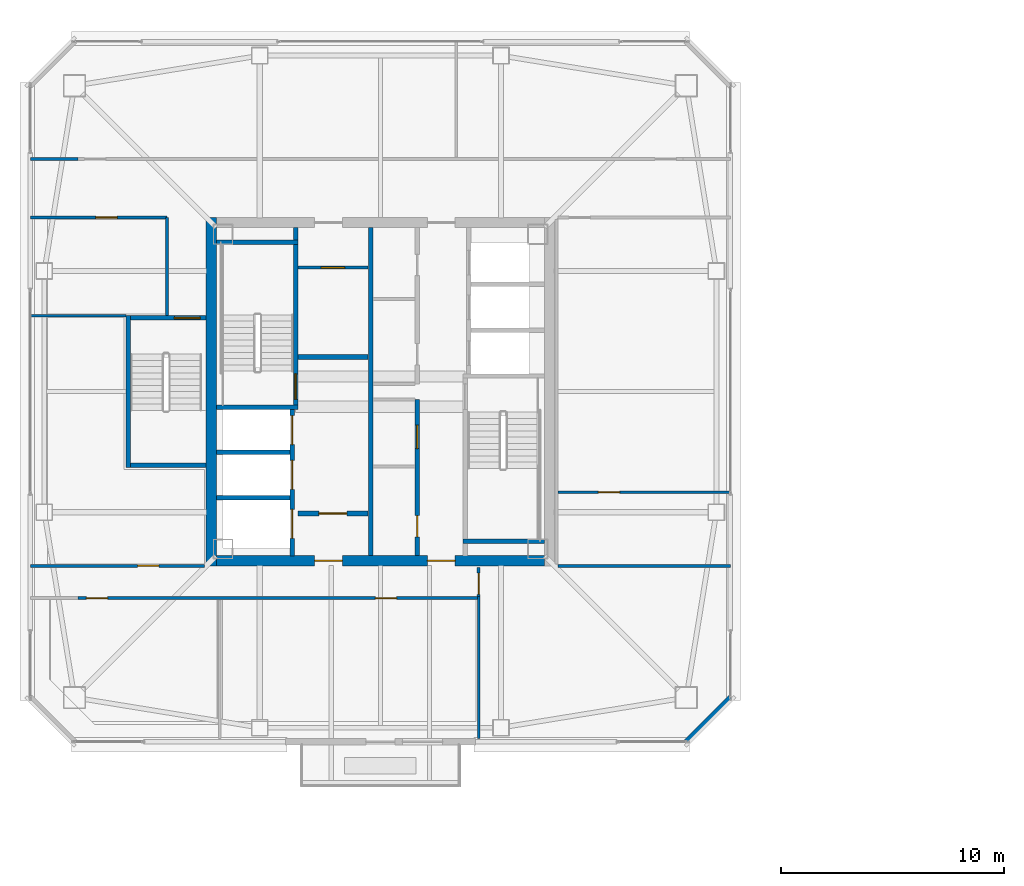
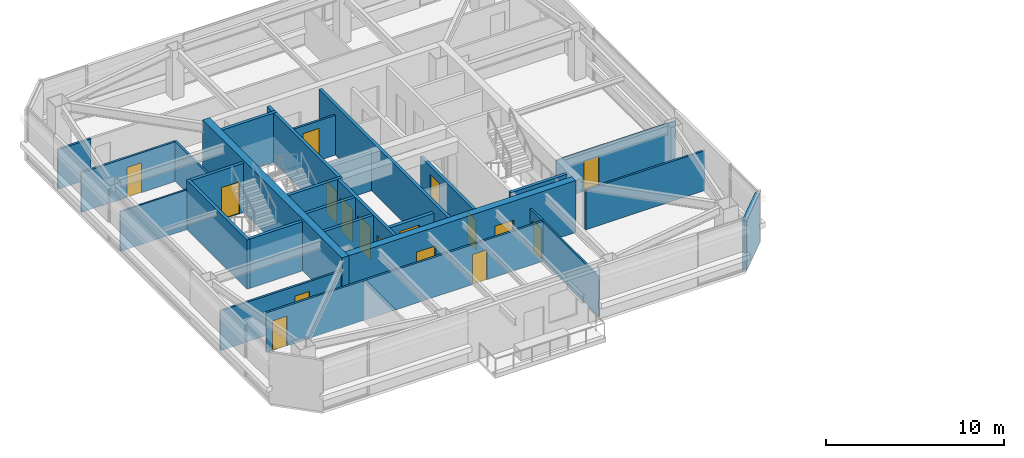
# One storey, part 26 of 36: 28 walls, 17 doors, 17 openings.
"""IFC4 building model written with IfcOpenShell, lengths in metres."""

from ifc_helpers import new_model, si_unit, direction, frame, frame_2d, origin, place, context, subcontext, project, spatial, rectangle, extrude, material, layer, layer_set, type_object, element, fill, save


model = new_model("IFC4")

# Units and contexts
model_context = context("Model", 3, precision=1e-05, world=origin(), true_north=direction((0.0, 1.0)))
body_context = subcontext(model_context, "Body", "Model", "MODEL_VIEW")
ifc_project = project(units=[si_unit("LENGTHUNIT", "METRE"), si_unit("AREAUNIT", "SQUARE_METRE"), si_unit("VOLUMEUNIT", "CUBIC_METRE"), si_unit("PLANEANGLEUNIT", "RADIAN"), si_unit("MASSUNIT", "GRAM", prefix="KILO")], contexts=[model_context])

# Site, building, storey
site_placement = place(None, origin())
site = spatial("IfcSite", under=ifc_project, at=site_placement, CompositionType="ELEMENT")
building_placement = place(site_placement, origin())
building = spatial("IfcBuilding", under=site, at=building_placement, Name="Tashvorn Skyway Center", CompositionType="ELEMENT")
storey_placement = place(building_placement, frame((0.0, 0.0, 236.14990234375)))
storey = spatial("IfcBuildingStorey", under=building, at=storey_placement, Name="L64", CompositionType="ELEMENT", Elevation=236.14990234375)

# Wall
ifc_material_1 = material(Name="Concrete C50/60", Category="concrete")
ifc_layer_1 = layer(ifc_material_1, 0.449951171875)
ifc_layer_set_1 = layer_set([ifc_layer_1], Name="Concrete C50/60")
wall_type_1 = type_object("IfcWallType", Name="WALL-CORE-450", PredefinedType="SHEAR", material=ifc_layer_set_1)
wall_1_placement = place(storey_placement, frame((34.425048828125, 24.199951171875, 0.0), z_axis=(0.0, 0.0, 1.0), x_axis=(0.0, 1.0, 0.0)))
element("IfcWall", 1, at=wall_1_placement, inside=storey, type_object=wall_type_1, Name="Tower 1 L64 West Core Shear Wall", PredefinedType="SHEAR", context=body_context, shape_type="SweptSolid", body=[
    extrude(rectangle(XDim=15.60009765625, YDim=0.449951171875, at=frame_2d((7.800048828125, 0.0))), origin(), (0.0, 0.0, 1.0), 3.550048828125),
])

# Wall, openings, doors
wall_2_placement = place(storey_placement, frame((49.35009765625, 24.425048828125, 0.0), z_axis=(0.0, 0.0, 1.0), x_axis=(-1.0, 0.0, 0.0)))
wall_2 = element("IfcWall", 2, at=wall_2_placement, inside=storey, type_object=wall_type_1, Name="Tower 1 L64 South Core Shear Wall", PredefinedType="SHEAR", context=body_context, shape_type="SweptSolid", body=[
    extrude(rectangle(XDim=14.7001953125, YDim=0.449951171875, at=frame_2d((7.35009765625, 0.0))), origin(), (0.0, 0.0, 1.0), 3.550048828125),
])
opening_1_placement = place(wall_2_placement, frame((9.050048828125, 0.0, 0.0)))
opening_1 = element("IfcOpeningElement", 3, at=opening_1_placement, cuts=wall_2, Name="Opening D-FFL-1250", PredefinedType="OPENING", context=body_context, shape_type="SweptSolid", body=[
    extrude(rectangle(XDim=1.25, YDim=2.25, at=frame_2d((0.625, 1.125))), frame((0.0, 0.23486328125, 0.0), z_axis=(0.0, -1.0, 0.0), x_axis=(1.0, 0.0, 0.0)), (0.0, 0.0, 1.0), 0.469970703125),
])
opening_2_placement = place(wall_2_placement, frame((4.0, 0.0, 0.0)))
opening_2 = element("IfcOpeningElement", 4, at=opening_2_placement, cuts=wall_2, Name="Opening D-FFL-1250", PredefinedType="OPENING", context=body_context, shape_type="SweptSolid", body=[
    extrude(rectangle(XDim=1.25, YDim=2.25, at=frame_2d((0.625, 1.125))), frame((0.0, 0.23486328125, 0.0), z_axis=(0.0, -1.0, 0.0), x_axis=(1.0, 0.0, 0.0)), (0.0, 0.0, 1.0), 0.469970703125),
])
ifc_material_2 = material(Name="Hollow galvanized steel fire door assembly", Category="steel")
door_type_1 = type_object("IfcDoorType", Name="DOOR-FFL-1250", OperationType="NOTDEFINED", PredefinedType="DOOR", material=ifc_material_2)
door_1_placement = place(opening_1_placement, origin())
door_1 = element("IfcDoor", 5, at=door_1_placement, inside=storey, type_object=door_type_1, Name="Tower 1 L64 Core South Firefighting Exit Door", OperationType="SINGLE_SWING_LEFT", OverallHeight=2.25, OverallWidth=1.25, PredefinedType="DOOR", context=body_context, shape_type="SweptSolid", body=[
    extrude(rectangle(XDim=1.25, YDim=2.25, at=frame_2d((0.625, 1.125))), frame((0.0, 0.02490234375, 0.0), z_axis=(0.0, -1.0, 0.0), x_axis=(1.0, 0.0, 0.0)), (0.0, 0.0, 1.0), 0.050048828125),
])
fill(opening_1, door_1)
door_2_placement = place(opening_2_placement, origin())
door_2 = element("IfcDoor", 6, at=door_2_placement, inside=storey, type_object=door_type_1, Name="Tower 1 L64 Core South Lift Lobby Door", OperationType="SINGLE_SWING_RIGHT", OverallHeight=2.25, OverallWidth=1.25, PredefinedType="DOOR", context=body_context, shape_type="SweptSolid", body=[
    extrude(rectangle(XDim=1.25, YDim=2.25, at=frame_2d((0.625, 1.125))), frame((0.0, 0.02490234375, 0.0), z_axis=(0.0, -1.0, 0.0), x_axis=(1.0, 0.0, 0.0)), (0.0, 0.0, 1.0), 0.050048828125),
])
fill(opening_2, door_2)

# Walls
ifc_material_3 = material(Name="Precast concrete C40/50", Category="concrete")
ifc_layer_2 = layer(ifc_material_3, 0.280029296875)
ifc_layer_set_2 = layer_set([ifc_layer_2], Name="Precast concrete C40/50")
wall_type_2 = type_object("IfcWallType", Name="WALL-EXT-280", PredefinedType="SOLIDWALL", material=ifc_layer_set_2)
wall_3_placement = place(storey_placement, frame((57.699951171875, 18.300048828125, 0.0), z_axis=(0.0, 0.0, 1.0), x_axis=(-0.707106781187, -0.707106781187, 0.0)))
element("IfcWall", 7, at=wall_3_placement, inside=storey, type_object=wall_type_2, Name="Tower 1 L64 SE Precast Chamfer Wall", PredefinedType="SOLIDWALL", context=body_context, shape_type="SweptSolid", body=[
    extrude(rectangle(XDim=2.828369140625, YDim=0.280029296875, at=frame_2d((1.4140625, 0.0))), origin(), (0.0, 0.0, 1.0), 3.3701171875),
])
ifc_material_4 = material(Name="Concrete C40/50", Category="concrete")
ifc_layer_3 = layer(ifc_material_4, 0.219970703125)
ifc_layer_set_3 = layer_set([ifc_layer_3], Name="Concrete C40/50")
wall_type_3 = type_object("IfcWallType", Name="WALL-FFL-220", PredefinedType="SOLIDWALL", material=ifc_layer_set_3)
wall_4_placement = place(storey_placement, frame((38.300048828125, 33.56005859375, 0.0), z_axis=(0.0, 0.0, 1.0), x_axis=(1.0, 0.0, 0.0)))
element("IfcWall", 8, at=wall_4_placement, inside=storey, type_object=wall_type_3, Name="Tower 1 L64 Firefighting Lobby North Wall", PredefinedType="SOLIDWALL", context=body_context, shape_type="SweptSolid", body=[
    extrude(rectangle(XDim=3.14990234375, YDim=0.219970703125, at=frame_2d((1.574951171875, 0.0))), origin(), (0.0, 0.0, 1.0), 2.72314453125),
])

# Wall, opening, door
wall_5_placement = place(storey_placement, frame((38.300048828125, 26.5400390625, 0.0), z_axis=(0.0, 0.0, 1.0), x_axis=(1.0, 0.0, 0.0)))
wall_5 = element("IfcWall", 9, at=wall_5_placement, inside=storey, type_object=wall_type_3, Name="Tower 1 L64 Firefighting Lobby South Wall", PredefinedType="SOLIDWALL", context=body_context, shape_type="SweptSolid", body=[
    extrude(rectangle(XDim=3.14990234375, YDim=0.219970703125, at=frame_2d((1.574951171875, 0.0))), origin(), (0.0, 0.0, 1.0), 2.72314453125),
])
opening_3_placement = place(wall_5_placement, frame((0.949951171875, 0.0, 0.0)))
opening_3 = element("IfcOpeningElement", 10, at=opening_3_placement, cuts=wall_5, Name="Opening D-FFL-1250", PredefinedType="OPENING", context=body_context, shape_type="SweptSolid", body=[
    extrude(rectangle(XDim=1.25, YDim=2.25, at=frame_2d((0.625, 1.125))), frame((0.0, 0.119873046875, 0.0), z_axis=(0.0, -1.0, 0.0), x_axis=(1.0, 0.0, 0.0)), (0.0, 0.0, 1.0), 0.239990234375),
])
door_3_placement = place(opening_3_placement, origin())
door_3 = element("IfcDoor", 11, at=door_3_placement, inside=storey, type_object=door_type_1, Name="Tower 1 L64 Firefighting Lobby Egress Door", OperationType="SINGLE_SWING_LEFT", OverallHeight=2.25, OverallWidth=1.25, PredefinedType="DOOR", context=body_context, shape_type="SweptSolid", body=[
    extrude(rectangle(XDim=1.25, YDim=2.25, at=frame_2d((0.625, 1.125))), frame((0.0, 0.02490234375, 0.0), z_axis=(0.0, -1.0, 0.0), x_axis=(1.0, 0.0, 0.0)), (0.0, 0.0, 1.0), 0.050048828125),
])
fill(opening_3, door_3)

# Wall
ifc_material_5 = material(Name="Gypsum board on cold-formed steel stud framing", Category="steel")
ifc_layer_4 = layer(ifc_material_5, 0.110107421875)
ifc_layer_set_4 = layer_set([ifc_layer_4], Name="Gypsum board on cold-formed steel stud framing")
wall_type_4 = type_object("IfcWallType", Name="WALL-PART-110", PredefinedType="PARTITIONING", material=ifc_layer_set_4)
wall_6_placement = place(storey_placement, frame((46.39990234375, 16.469970703125, 0.0), z_axis=(0.0, 0.0, 1.0), x_axis=(0.0, 1.0, 0.0)))
element("IfcWall", 12, at=wall_6_placement, inside=storey, type_object=wall_type_4, Name="Tower 1 L64 South-East Suite Wall", PredefinedType="PARTITIONING", context=body_context, shape_type="SweptSolid", body=[
    extrude(rectangle(XDim=6.360107421875, YDim=0.110107421875, at=frame_2d((3.18017578125, 0.0))), origin(), (0.0, 0.0, 1.0), 2.72314453125),
])

# Wall, opening, door
wall_7_placement = place(storey_placement, frame((49.9599609375, 27.5, 0.0), z_axis=(0.0, 0.0, 1.0), x_axis=(1.0, 0.0, 0.0)))
wall_7 = element("IfcWall", 13, at=wall_7_placement, inside=storey, type_object=wall_type_4, Name="Tower 1 L64 East Mid Partition", PredefinedType="PARTITIONING", context=body_context, shape_type="SweptSolid", body=[
    extrude(rectangle(XDim=7.719970703125, YDim=0.110107421875, at=frame_2d((3.85986328125, 0.0))), origin(), (0.0, 0.0, 1.0), 2.72314453125),
])
opening_4_placement = place(wall_7_placement, frame((1.800048828125, 0.0, 0.0)))
opening_4 = element("IfcOpeningElement", 14, at=opening_4_placement, cuts=wall_7, Name="Opening D-INT-950", PredefinedType="OPENING", context=body_context, shape_type="SweptSolid", body=[
    extrude(rectangle(XDim=0.949951171875, YDim=2.050048828125, at=frame_2d((0.47509765625, 1.02490234375))), frame((0.0, 0.06494140625, 0.0), z_axis=(0.0, -1.0, 0.0), x_axis=(1.0, 0.0, 0.0)), (0.0, 0.0, 1.0), 0.130126953125),
])
ifc_material_6 = material(Name="Solid-core architectural oak veneer door")
door_type_2 = type_object("IfcDoorType", Name="DOOR-INT-950", OperationType="NOTDEFINED", PredefinedType="DOOR", material=ifc_material_6)
door_4_placement = place(opening_4_placement, origin())
door_4 = element("IfcDoor", 15, at=door_4_placement, inside=storey, type_object=door_type_2, Name="Tower 1 L64 Corporate Office Door", OperationType="SINGLE_SWING_LEFT", OverallHeight=2.050048828125, OverallWidth=0.949951171875, PredefinedType="DOOR", context=body_context, shape_type="SweptSolid", body=[
    extrude(rectangle(XDim=0.949951171875, YDim=2.050048828125, at=frame_2d((0.47509765625, 1.02490234375))), frame((0.0, 0.02490234375, 0.0), z_axis=(0.0, -1.0, 0.0), x_axis=(1.0, 0.0, 0.0)), (0.0, 0.0, 1.0), 0.050048828125),
])
fill(opening_4, door_4)

# Walls
wall_8_placement = place(storey_placement, frame((30.60009765625, 35.39990234375, 0.0), z_axis=(0.0, 0.0, 1.0), x_axis=(-1.0, 0.0, 0.0)))
element("IfcWall", 16, at=wall_8_placement, inside=storey, type_object=wall_type_4, Name="Tower 1 L64 West Suite Partition 1", PredefinedType="PARTITIONING", context=body_context, shape_type="SweptSolid", body=[
    extrude(rectangle(XDim=4.280029296875, YDim=0.110107421875, at=frame_2d((2.14013671875, 0.0))), origin(), (0.0, 0.0, 1.0), 2.72314453125),
])
ifc_layer_5 = layer(ifc_material_5, 0.135009765625)
ifc_layer_set_5 = layer_set([ifc_layer_5], Name="Gypsum board on cold-formed steel stud framing")
wall_type_5 = type_object("IfcWallType", Name="WALL-PART-135", PredefinedType="PARTITIONING", material=ifc_layer_set_5)
wall_9_placement = place(storey_placement, frame((32.449951171875, 35.39990234375, 0.0), z_axis=(0.0, 0.0, 1.0), x_axis=(0.0, 1.0, 0.0)))
element("IfcWall", 17, at=wall_9_placement, inside=storey, type_object=wall_type_5, Name="Tower 1 L64 Stair 3 Access Corridor Wall", PredefinedType="PARTITIONING", context=body_context, shape_type="SweptSolid", body=[
    extrude(rectangle(XDim=4.400146484375, YDim=0.135009765625, at=frame_2d((2.2001953125, 0.0))), origin(), (0.0, 0.0, 1.0), 2.72314453125),
])
wall_10_placement = place(storey_placement, frame((26.320068359375, 42.419921875, 0.0), z_axis=(0.0, 0.0, 1.0), x_axis=(1.0, 0.0, 0.0)))
element("IfcWall", 18, at=wall_10_placement, inside=storey, type_object=wall_type_5, Name="Tower 1 L64 North-West Suite South Wall", PredefinedType="PARTITIONING", context=body_context, shape_type="SweptSolid", body=[
    extrude(rectangle(XDim=2.1298828125, YDim=0.135009765625, at=frame_2d((1.06494140625, 0.0))), origin(), (0.0, 0.0, 1.0), 2.72314453125),
])

# Wall, openings, doors
wall_11_placement = place(storey_placement, frame((46.39990234375, 22.75, 0.0), z_axis=(0.0, 0.0, 1.0), x_axis=(-1.0, 0.0, 0.0)))
wall_11 = element("IfcWall", 19, at=wall_11_placement, inside=storey, type_object=wall_type_5, Name="Tower 1 L64 South Suite Wall", PredefinedType="PARTITIONING", context=body_context, shape_type="SweptSolid", body=[
    extrude(rectangle(XDim=17.949951171875, YDim=0.135009765625, at=frame_2d((8.97509765625, 0.0))), origin(), (0.0, 0.0, 1.0), 2.72314453125),
])
opening_5_placement = place(wall_11_placement, frame((16.6201171875, 0.0, 0.0)))
opening_5 = element("IfcOpeningElement", 20, at=opening_5_placement, cuts=wall_11, Name="Opening D-INT-950", PredefinedType="OPENING", context=body_context, shape_type="SweptSolid", body=[
    extrude(rectangle(XDim=0.949951171875, YDim=2.050048828125, at=frame_2d((0.47509765625, 1.02490234375))), frame((0.0, 0.077392578125, 0.0), z_axis=(0.0, -1.0, 0.0), x_axis=(1.0, 0.0, 0.0)), (0.0, 0.0, 1.0), 0.155029296875),
])
opening_6_placement = place(wall_11_placement, frame((3.6767578125, 0.0, 0.0)))
opening_6 = element("IfcOpeningElement", 21, at=opening_6_placement, cuts=wall_11, Name="Opening D-INT-950", PredefinedType="OPENING", context=body_context, shape_type="SweptSolid", body=[
    extrude(rectangle(XDim=0.949951171875, YDim=2.050048828125, at=frame_2d((0.47509765625, 1.02490234375))), frame((0.0, 0.077392578125, 0.0), z_axis=(0.0, -1.0, 0.0), x_axis=(1.0, 0.0, 0.0)), (0.0, 0.0, 1.0), 0.155029296875),
])
door_5_placement = place(opening_5_placement, origin())
door_5 = element("IfcDoor", 22, at=door_5_placement, inside=storey, type_object=door_type_2, Name="Tower 1 L64 Wellness Clinic Door", OperationType="SINGLE_SWING_LEFT", OverallHeight=2.050048828125, OverallWidth=0.949951171875, PredefinedType="DOOR", context=body_context, shape_type="SweptSolid", body=[
    extrude(rectangle(XDim=0.949951171875, YDim=2.050048828125, at=frame_2d((0.47509765625, 1.02490234375))), frame((0.0, 0.02490234375, 0.0), z_axis=(0.0, -1.0, 0.0), x_axis=(1.0, 0.0, 0.0)), (0.0, 0.0, 1.0), 0.050048828125),
])
fill(opening_5, door_5)
door_6_placement = place(opening_6_placement, origin())
door_6 = element("IfcDoor", 23, at=door_6_placement, inside=storey, type_object=door_type_2, Name="Tower 1 L64 Security Control Room Door", OperationType="SINGLE_SWING_RIGHT", OverallHeight=2.050048828125, OverallWidth=0.949951171875, PredefinedType="DOOR", context=body_context, shape_type="SweptSolid", body=[
    extrude(rectangle(XDim=0.949951171875, YDim=2.050048828125, at=frame_2d((0.47509765625, 1.02490234375))), frame((0.0, 0.02490234375, 0.0), z_axis=(0.0, -1.0, 0.0), x_axis=(1.0, 0.0, 0.0)), (0.0, 0.0, 1.0), 0.050048828125),
])
fill(opening_6, door_6)

# Wall, opening, door
wall_12_placement = place(storey_placement, frame((46.39990234375, 24.1201171875, 0.0), z_axis=(0.0, 0.0, 1.0), x_axis=(0.0, -1.0, 0.0)))
wall_12 = element("IfcWall", 24, at=wall_12_placement, inside=storey, type_object=wall_type_5, Name="Tower 1 L64 South Gallery End Wall", PredefinedType="PARTITIONING", context=body_context, shape_type="SweptSolid", body=[
    extrude(rectangle(XDim=1.2900390625, YDim=0.135009765625, at=frame_2d((0.64501953125, 0.0))), origin(), (0.0, 0.0, 1.0), 2.72314453125),
])
opening_7_placement = place(wall_12_placement, frame((0.25, 0.0, 0.0)))
opening_7 = element("IfcOpeningElement", 25, at=opening_7_placement, cuts=wall_12, Name="Opening D-INT-950", PredefinedType="OPENING", context=body_context, shape_type="SweptSolid", body=[
    extrude(rectangle(XDim=0.949951171875, YDim=2.050048828125, at=frame_2d((0.47509765625, 1.02490234375))), frame((0.0, 0.077392578125, 0.0), z_axis=(0.0, -1.0, 0.0), x_axis=(1.0, 0.0, 0.0)), (0.0, 0.0, 1.0), 0.155029296875),
])
door_7_placement = place(opening_7_placement, origin())
door_7 = element("IfcDoor", 26, at=door_7_placement, inside=storey, type_object=door_type_2, Name="Tower 1 L64 Operations Control Room Door", OperationType="SINGLE_SWING_LEFT", OverallHeight=2.050048828125, OverallWidth=0.949951171875, PredefinedType="DOOR", context=body_context, shape_type="SweptSolid", body=[
    extrude(rectangle(XDim=0.949951171875, YDim=2.050048828125, at=frame_2d((0.47509765625, 1.02490234375))), frame((0.0, 0.02490234375, 0.0), z_axis=(0.0, -1.0, 0.0), x_axis=(1.0, 0.0, 0.0)), (0.0, 0.0, 1.0), 0.050048828125),
])
fill(opening_7, door_7)

# Wall
wall_13_placement = place(storey_placement, frame((49.9599609375, 24.199951171875, 0.0), z_axis=(0.0, 0.0, 1.0), x_axis=(1.0, 0.0, 0.0)))
element("IfcWall", 27, at=wall_13_placement, inside=storey, type_object=wall_type_5, Name="Tower 1 L64 East Suite South Wall", PredefinedType="PARTITIONING", context=body_context, shape_type="SweptSolid", body=[
    extrude(rectangle(XDim=7.719970703125, YDim=0.135009765625, at=frame_2d((3.85986328125, 0.0))), origin(), (0.0, 0.0, 1.0), 2.72314453125),
])

# Wall, opening, door
wall_14_placement = place(storey_placement, frame((32.449951171875, 39.800048828125, 0.0), z_axis=(0.0, 0.0, 1.0), x_axis=(-1.0, 0.0, 0.0)))
wall_14 = element("IfcWall", 28, at=wall_14_placement, inside=storey, type_object=wall_type_5, Name="Tower 1 L64 West Suite North Wall", PredefinedType="PARTITIONING", context=body_context, shape_type="SweptSolid", body=[
    extrude(rectangle(XDim=6.1298828125, YDim=0.135009765625, at=frame_2d((3.06494140625, 0.0))), origin(), (0.0, 0.0, 1.0), 2.72314453125),
])
opening_8_placement = place(wall_14_placement, frame((2.239990234375, 0.0, 0.0)))
opening_8 = element("IfcOpeningElement", 29, at=opening_8_placement, cuts=wall_14, Name="Opening D-INT-950", PredefinedType="OPENING", context=body_context, shape_type="SweptSolid", body=[
    extrude(rectangle(XDim=0.949951171875, YDim=2.050048828125, at=frame_2d((0.47509765625, 1.02490234375))), frame((0.0, 0.077392578125, 0.0), z_axis=(0.0, -1.0, 0.0), x_axis=(1.0, 0.0, 0.0)), (0.0, 0.0, 1.0), 0.155029296875),
])
door_8_placement = place(opening_8_placement, origin())
door_8 = element("IfcDoor", 30, at=door_8_placement, inside=storey, type_object=door_type_2, Name="Tower 1 L64 Corporate Office Door", OperationType="SINGLE_SWING_RIGHT", OverallHeight=2.050048828125, OverallWidth=0.949951171875, PredefinedType="DOOR", context=body_context, shape_type="SweptSolid", body=[
    extrude(rectangle(XDim=0.949951171875, YDim=2.050048828125, at=frame_2d((0.47509765625, 1.02490234375))), frame((0.0, 0.02490234375, 0.0), z_axis=(0.0, -1.0, 0.0), x_axis=(1.0, 0.0, 0.0)), (0.0, 0.0, 1.0), 0.050048828125),
])
fill(opening_8, door_8)

wall_15_placement = place(storey_placement, frame((26.320068359375, 24.199951171875, 0.0), z_axis=(0.0, 0.0, 1.0), x_axis=(1.0, 0.0, 0.0)))
wall_15 = element("IfcWall", 31, at=wall_15_placement, inside=storey, type_object=wall_type_5, Name="Tower 1 L64 West Suite South Wall", PredefinedType="PARTITIONING", context=body_context, shape_type="SweptSolid", body=[
    extrude(rectangle(XDim=7.800048828125, YDim=0.135009765625, at=frame_2d((3.89990234375, 0.0))), origin(), (0.0, 0.0, 1.0), 2.72314453125),
])
opening_9_placement = place(wall_15_placement, frame((4.804931640625, 0.0, 0.0)))
opening_9 = element("IfcOpeningElement", 32, at=opening_9_placement, cuts=wall_15, Name="Opening D-INT-950", PredefinedType="OPENING", context=body_context, shape_type="SweptSolid", body=[
    extrude(rectangle(XDim=0.949951171875, YDim=2.050048828125, at=frame_2d((0.47509765625, 1.02490234375))), frame((0.0, 0.077392578125, 0.0), z_axis=(0.0, -1.0, 0.0), x_axis=(1.0, 0.0, 0.0)), (0.0, 0.0, 1.0), 0.155029296875),
])
door_9_placement = place(opening_9_placement, origin())
door_9 = element("IfcDoor", 33, at=door_9_placement, inside=storey, type_object=door_type_2, Name="Tower 1 L64 Public Restroom Door", OperationType="SINGLE_SWING_LEFT", OverallHeight=2.050048828125, OverallWidth=0.949951171875, PredefinedType="DOOR", context=body_context, shape_type="SweptSolid", body=[
    extrude(rectangle(XDim=0.949951171875, YDim=2.050048828125, at=frame_2d((0.47509765625, 1.02490234375))), frame((0.0, 0.02490234375, 0.0), z_axis=(0.0, -1.0, 0.0), x_axis=(1.0, 0.0, 0.0)), (0.0, 0.0, 1.0), 0.050048828125),
])
fill(opening_9, door_9)

ifc_layer_6 = layer(ifc_material_5, 0.135009765625)
ifc_layer_set_6 = layer_set([ifc_layer_6], Name="Gypsum board on cold-formed steel stud framing")
wall_type_6 = type_object("IfcWallType", Name="WALL-RATED-135", PredefinedType="PARTITIONING", material=ifc_layer_set_6)
wall_16_placement = place(storey_placement, frame((38.300048828125, 37.550048828125, 0.0), z_axis=(0.0, 0.0, 1.0), x_axis=(1.0, 0.0, 0.0)))
wall_16 = element("IfcWall", 34, at=wall_16_placement, inside=storey, type_object=wall_type_6, Name="Tower 1 L64 Core Service Lobby Wall", PredefinedType="PARTITIONING", context=body_context, shape_type="SweptSolid", body=[
    extrude(rectangle(XDim=3.14990234375, YDim=0.135009765625, at=frame_2d((1.574951171875, 0.0))), origin(), (0.0, 0.0, 1.0), 2.72314453125),
])
opening_10_placement = place(wall_16_placement, frame((1.050048828125, 0.0, 0.0)))
opening_10 = element("IfcOpeningElement", 35, at=opening_10_placement, cuts=wall_16, Name="Opening D-RT-1050", PredefinedType="OPENING", context=body_context, shape_type="SweptSolid", body=[
    extrude(rectangle(XDim=1.050048828125, YDim=2.199951171875, at=frame_2d((0.52490234375, 1.10009765625))), frame((0.0, 0.077392578125, 0.0), z_axis=(0.0, -1.0, 0.0), x_axis=(1.0, 0.0, 0.0)), (0.0, 0.0, 1.0), 0.155029296875),
])
door_type_3 = type_object("IfcDoorType", Name="DOOR-RATED-1050", OperationType="NOTDEFINED", PredefinedType="DOOR", material=ifc_material_2)
door_10_placement = place(opening_10_placement, origin())
door_10 = element("IfcDoor", 36, at=door_10_placement, inside=storey, type_object=door_type_3, Name="Tower 1 L64 Core Accessible WC Door", OperationType="SINGLE_SWING_LEFT", OverallHeight=2.199951171875, OverallWidth=1.050048828125, PredefinedType="DOOR", context=body_context, shape_type="SweptSolid", body=[
    extrude(rectangle(XDim=1.050048828125, YDim=2.199951171875, at=frame_2d((0.52490234375, 1.10009765625))), frame((0.0, 0.02490234375, 0.0), z_axis=(0.0, -1.0, 0.0), x_axis=(1.0, 0.0, 0.0)), (0.0, 0.0, 1.0), 0.050048828125),
])
fill(opening_10, door_10)

# Walls
ifc_layer_7 = layer(ifc_material_4, 0.199951171875)
ifc_layer_set_7 = layer_set([ifc_layer_7], Name="Concrete C40/50")
wall_type_7 = type_object("IfcWallType", Name="WALL-SHAFT-200", PredefinedType="SOLIDWALL", material=ifc_layer_set_7)
for number, where, z_axis, x_axis, name in (
    (37, (34.64990234375, 27.25, 0.0), (0.0, 0.0, 1.0), (1.0, 0.0, 0.0), "Tower 1 L64 FSAE Shaft Divider"),
    (38, (34.64990234375, 29.280029296875, 0.0), (0.0, 0.0, 1.0), (1.0, 0.0, 0.0), "Tower 1 L64 FSAE Shaft Divider"),
):
    element("IfcWall", number, at=place(storey_placement, frame(where, z_axis=z_axis, x_axis=x_axis)), inside=storey, type_object=wall_type_7, Name=name, PredefinedType="SOLIDWALL", context=body_context, shape_type="SweptSolid", body=[
        extrude(rectangle(XDim=3.300048828125, YDim=0.199951171875, at=frame_2d((1.64990234375, 0.0))), origin(), (0.0, 0.0, 1.0), 3.3701171875),
    ])

# Wall, openings, doors
wall_17_placement = place(storey_placement, frame((43.64990234375, 24.64990234375, 0.0), z_axis=(0.0, 0.0, 1.0), x_axis=(0.0, 1.0, 0.0)))
wall_17 = element("IfcWall", 39, at=wall_17_placement, inside=storey, type_object=wall_type_7, Name="Tower 1 L64 Low-Rise Core Wall", PredefinedType="SOLIDWALL", context=body_context, shape_type="SweptSolid", body=[
    extrude(rectangle(XDim=7.0, YDim=0.199951171875, at=frame_2d((3.5, 0.0))), origin(), (0.0, 0.0, 1.0), 2.72314453125),
])
opening_11_placement = place(wall_17_placement, frame((0.85009765625, 0.0, 0.0)))
opening_11 = element("IfcOpeningElement", 40, at=opening_11_placement, cuts=wall_17, Name="Opening D-RT-950", PredefinedType="OPENING", context=body_context, shape_type="SweptSolid", body=[
    extrude(rectangle(XDim=0.949951171875, YDim=2.050048828125, at=frame_2d((0.47509765625, 1.02490234375))), frame((0.0, 0.10986328125, 0.0), z_axis=(0.0, -1.0, 0.0), x_axis=(1.0, 0.0, 0.0)), (0.0, 0.0, 1.0), 0.219970703125),
])
opening_12_placement = place(wall_17_placement, frame((4.800048828125, 0.0, 0.0)))
opening_12 = element("IfcOpeningElement", 41, at=opening_12_placement, cuts=wall_17, Name="Opening D-RT-1050", PredefinedType="OPENING", context=body_context, shape_type="SweptSolid", body=[
    extrude(rectangle(XDim=1.050048828125, YDim=2.199951171875, at=frame_2d((0.52490234375, 1.10009765625))), frame((0.0, 0.10986328125, 0.0), z_axis=(0.0, -1.0, 0.0), x_axis=(1.0, 0.0, 0.0)), (0.0, 0.0, 1.0), 0.219970703125),
])
door_11_placement = place(opening_12_placement, origin())
door_11 = element("IfcDoor", 42, at=door_11_placement, inside=storey, type_object=door_type_3, Name="Tower 1 L64 Freed Core Room Door", OperationType="SINGLE_SWING_RIGHT", OverallHeight=2.199951171875, OverallWidth=1.050048828125, PredefinedType="DOOR", context=body_context, shape_type="SweptSolid", body=[
    extrude(rectangle(XDim=1.050048828125, YDim=2.199951171875, at=frame_2d((0.52490234375, 1.10009765625))), frame((0.0, 0.02490234375, 0.0), z_axis=(0.0, -1.0, 0.0), x_axis=(1.0, 0.0, 0.0)), (0.0, 0.0, 1.0), 0.050048828125),
])
fill(opening_12, door_11)
door_type_4 = type_object("IfcDoorType", Name="DOOR-RATED-950", OperationType="NOTDEFINED", PredefinedType="DOOR", material=ifc_material_2)
door_12_placement = place(opening_11_placement, origin())
door_12 = element("IfcDoor", 43, at=door_12_placement, inside=storey, type_object=door_type_4, Name="Tower 1 L64 Core Print Room Door", OperationType="SINGLE_SWING_LEFT", OverallHeight=2.050048828125, OverallWidth=0.949951171875, PredefinedType="DOOR", context=body_context, shape_type="SweptSolid", body=[
    extrude(rectangle(XDim=0.949951171875, YDim=2.050048828125, at=frame_2d((0.47509765625, 1.02490234375))), frame((0.0, 0.02490234375, 0.0), z_axis=(0.0, -1.0, 0.0), x_axis=(1.0, 0.0, 0.0)), (0.0, 0.0, 1.0), 0.050048828125),
])
fill(opening_11, door_12)

# Wall, opening, door
ifc_layer_8 = layer(ifc_material_4, 0.199951171875)
ifc_layer_set_8 = layer_set([ifc_layer_8], Name="Concrete C40/50")
wall_type_8 = type_object("IfcWallType", Name="WALL-STSHF-200", PredefinedType="SHEAR", material=ifc_layer_set_8)
wall_18_placement = place(storey_placement, frame((38.199951171875, 31.199951171875, 0.0), z_axis=(0.0, 0.0, 1.0), x_axis=(0.0, 1.0, 0.0)))
wall_18 = element("IfcWall", 44, at=wall_18_placement, inside=storey, type_object=wall_type_8, Name="Tower 1 L64 Stair 1 Enclosure Wall", PredefinedType="SHEAR", context=body_context, shape_type="SweptSolid", body=[
    extrude(rectangle(XDim=8.150146484375, YDim=0.199951171875, at=frame_2d((4.0751953125, 0.0))), origin(), (0.0, 0.0, 1.0), 3.3701171875),
])
opening_13_placement = place(wall_18_placement, frame((0.449951171875, 0.0, 0.0)))
opening_13 = element("IfcOpeningElement", 45, at=opening_13_placement, cuts=wall_18, Name="Opening D-ST-1150", PredefinedType="OPENING", context=body_context, shape_type="SweptSolid", body=[
    extrude(rectangle(XDim=1.14990234375, YDim=2.199951171875, at=frame_2d((0.574951171875, 1.10009765625))), frame((0.0, 0.10986328125, 0.0), z_axis=(0.0, -1.0, 0.0), x_axis=(1.0, 0.0, 0.0)), (0.0, 0.0, 1.0), 0.219970703125),
])
door_type_5 = type_object("IfcDoorType", Name="DOOR-STAIR-1150", OperationType="NOTDEFINED", PredefinedType="DOOR", material=ifc_material_2)
door_13_placement = place(opening_13_placement, origin())
door_13 = element("IfcDoor", 46, at=door_13_placement, inside=storey, type_object=door_type_5, Name="Tower 1 L64 Exit Stair 1 Door", OperationType="SINGLE_SWING_RIGHT", OverallHeight=2.199951171875, OverallWidth=1.14990234375, PredefinedType="DOOR", context=body_context, shape_type="SweptSolid", body=[
    extrude(rectangle(XDim=1.14990234375, YDim=2.199951171875, at=frame_2d((0.574951171875, 1.10009765625))), frame((0.0, 0.02490234375, 0.0), z_axis=(0.0, -1.0, 0.0), x_axis=(1.0, 0.0, 0.0)), (0.0, 0.0, 1.0), 0.050048828125),
])
fill(opening_13, door_13)

# Walls
for number, where, z_axis, x_axis, name in (
    (47, (34.64990234375, 31.300048828125, 0.0), (0.0, 0.0, 1.0), (1.0, 0.0, 0.0), "Tower 1 L64 Stair 1 South Wall"),
    (48, (34.64990234375, 38.699951171875, 0.0), (0.0, 0.0, 1.0), (1.0, 0.0, 0.0), "Tower 1 L64 Stair 1 North Wall"),
    (49, (45.699951171875, 25.300048828125, 0.0), (0.0, 0.0, 1.0), (1.0, 0.0, 0.0), "Tower 1 L64 Stair 2 South Wall"),
):
    element("IfcWall", number, at=place(storey_placement, frame(where, z_axis=z_axis, x_axis=x_axis)), inside=storey, type_object=wall_type_8, Name=name, PredefinedType="SHEAR", context=body_context, shape_type="SweptSolid", body=[
        extrude(rectangle(XDim=3.650146484375, YDim=0.199951171875, at=frame_2d((1.8251953125, 0.0))), origin(), (0.0, 0.0, 1.0), 3.3701171875),
    ])
wall_19_placement = place(storey_placement, frame((41.56005859375, 24.64990234375, 0.0), z_axis=(0.0, 0.0, 1.0), x_axis=(0.0, 1.0, 0.0)))
element("IfcWall", 50, at=wall_19_placement, inside=storey, type_object=wall_type_8, Name="Tower 1 L64 Firefighting Lobby East Smoke Barrier", PredefinedType="SHEAR", context=body_context, shape_type="SweptSolid", body=[
    extrude(rectangle(XDim=14.7001953125, YDim=0.199951171875, at=frame_2d((7.35009765625, 0.0))), origin(), (0.0, 0.0, 1.0), 3.3701171875),
])

# Wall, openings, doors
wall_20_placement = place(storey_placement, frame((38.050048828125, 24.64990234375, 0.0), z_axis=(0.0, 0.0, 1.0), x_axis=(0.0, 1.0, 0.0)))
wall_20 = element("IfcWall", 51, at=wall_20_placement, inside=storey, type_object=wall_type_8, Name="Tower 1 L64 FSAE and Goods Shaft Front Wall", PredefinedType="SHEAR", context=body_context, shape_type="SweptSolid", body=[
    extrude(rectangle(XDim=6.550048828125, YDim=0.199951171875, at=frame_2d((3.27490234375, 0.0))), origin(), (0.0, 0.0, 1.0), 3.3701171875),
])
opening_14_placement = place(wall_20_placement, frame((4.97509765625, 0.0, 0.0)))
opening_14 = element("IfcOpeningElement", 52, at=opening_14_placement, cuts=wall_20, Name="Opening LD-FF-T1-1-L64", PredefinedType="OPENING", context=body_context, shape_type="SweptSolid", body=[
    extrude(rectangle(XDim=1.300048828125, YDim=2.25, at=frame_2d((0.64990234375, 1.125))), frame((0.0, 0.10986328125, 0.0), z_axis=(0.0, -1.0, 0.0), x_axis=(1.0, 0.0, 0.0)), (0.0, 0.0, 1.0), 0.219970703125),
])
opening_15_placement = place(wall_20_placement, frame((2.97509765625, 0.0, 0.0)))
opening_15 = element("IfcOpeningElement", 53, at=opening_15_placement, cuts=wall_20, Name="Opening LD-FF-T1-2-L64", PredefinedType="OPENING", context=body_context, shape_type="SweptSolid", body=[
    extrude(rectangle(XDim=1.300048828125, YDim=2.25, at=frame_2d((0.64990234375, 1.125))), frame((0.0, 0.10986328125, 0.0), z_axis=(0.0, -1.0, 0.0), x_axis=(1.0, 0.0, 0.0)), (0.0, 0.0, 1.0), 0.219970703125),
])
opening_16_placement = place(wall_20_placement, frame((0.77490234375, 0.0, 0.0)))
opening_16 = element("IfcOpeningElement", 54, at=opening_16_placement, cuts=wall_20, Name="Opening LD-GD-T1-1-L64", PredefinedType="OPENING", context=body_context, shape_type="SweptSolid", body=[
    extrude(rectangle(XDim=1.300048828125, YDim=2.25, at=frame_2d((0.64990234375, 1.125))), frame((0.0, 0.10986328125, 0.0), z_axis=(0.0, -1.0, 0.0), x_axis=(1.0, 0.0, 0.0)), (0.0, 0.0, 1.0), 0.219970703125),
])
ifc_material_7 = material(Name="Stainless steel heavy-duty landing door", Category="steel")
door_type_6 = type_object("IfcDoorType", Name="DOOR-LIFT-1300", OperationType="SLIDING_TO_LEFT", PredefinedType="DOOR", material=ifc_material_7)
door_14_placement = place(opening_14_placement, origin())
door_14 = element("IfcDoor", 55, at=door_14_placement, inside=storey, type_object=door_type_6, Name="Lift FF-T1-1 L64 Landing Door", OperationType="SLIDING_TO_LEFT", OverallHeight=2.25, OverallWidth=1.300048828125, PredefinedType="DOOR", context=body_context, shape_type="SweptSolid", body=[
    extrude(rectangle(XDim=1.300048828125, YDim=2.25, at=frame_2d((0.64990234375, 1.125))), frame((0.0, 0.02490234375, 0.0), z_axis=(0.0, -1.0, 0.0), x_axis=(1.0, 0.0, 0.0)), (0.0, 0.0, 1.0), 0.050048828125),
])
fill(opening_14, door_14)
door_15_placement = place(opening_15_placement, origin())
door_15 = element("IfcDoor", 56, at=door_15_placement, inside=storey, type_object=door_type_6, Name="Lift FF-T1-2 L64 Landing Door", OperationType="SLIDING_TO_LEFT", OverallHeight=2.25, OverallWidth=1.300048828125, PredefinedType="DOOR", context=body_context, shape_type="SweptSolid", body=[
    extrude(rectangle(XDim=1.300048828125, YDim=2.25, at=frame_2d((0.64990234375, 1.125))), frame((0.0, 0.02490234375, 0.0), z_axis=(0.0, -1.0, 0.0), x_axis=(1.0, 0.0, 0.0)), (0.0, 0.0, 1.0), 0.050048828125),
])
fill(opening_15, door_15)
door_16_placement = place(opening_16_placement, origin())
door_16 = element("IfcDoor", 57, at=door_16_placement, inside=storey, type_object=door_type_6, Name="Lift GD-T1-1 L64 Landing Door", OperationType="SLIDING_TO_LEFT", OverallHeight=2.25, OverallWidth=1.300048828125, PredefinedType="DOOR", context=body_context, shape_type="SweptSolid", body=[
    extrude(rectangle(XDim=1.300048828125, YDim=2.25, at=frame_2d((0.64990234375, 1.125))), frame((0.0, 0.02490234375, 0.0), z_axis=(0.0, -1.0, 0.0), x_axis=(1.0, 0.0, 0.0)), (0.0, 0.0, 1.0), 0.050048828125),
])
fill(opening_16, door_16)

# Wall
wall_21_placement = place(storey_placement, frame((30.699951171875, 28.60009765625, 0.0), z_axis=(0.0, 0.0, 1.0), x_axis=(0.0, 1.0, 0.0)))
element("IfcWall", 58, at=wall_21_placement, inside=storey, type_object=wall_type_8, Name="Tower 1 L64 Stair 3 Outer Wall", PredefinedType="SHEAR", context=body_context, shape_type="SweptSolid", body=[
    extrude(rectangle(XDim=6.7998046875, YDim=0.199951171875, at=frame_2d((3.39990234375, 0.0))), origin(), (0.0, 0.0, 1.0), 3.3701171875),
])

# Wall, opening, door
wall_22_placement = place(storey_placement, frame((34.199951171875, 35.300048828125, 0.0), z_axis=(0.0, 0.0, 1.0), x_axis=(-1.0, 0.0, 0.0)))
wall_22 = element("IfcWall", 59, at=wall_22_placement, inside=storey, type_object=wall_type_8, Name="Tower 1 L64 Stair 3 Enclosure Wall", PredefinedType="SHEAR", context=body_context, shape_type="SweptSolid", body=[
    extrude(rectangle(XDim=3.39990234375, YDim=0.199951171875, at=frame_2d((1.699951171875, 0.0))), origin(), (0.0, 0.0, 1.0), 3.3701171875),
])
opening_17_placement = place(wall_22_placement, frame((0.27490234375, 0.0, 0.0)))
opening_17 = element("IfcOpeningElement", 60, at=opening_17_placement, cuts=wall_22, Name="Opening D-ST-1150", PredefinedType="OPENING", context=body_context, shape_type="SweptSolid", body=[
    extrude(rectangle(XDim=1.14990234375, YDim=2.199951171875, at=frame_2d((0.574951171875, 1.10009765625))), frame((0.0, 0.10986328125, 0.0), z_axis=(0.0, -1.0, 0.0), x_axis=(1.0, 0.0, 0.0)), (0.0, 0.0, 1.0), 0.219970703125),
])
door_17_placement = place(opening_17_placement, origin())
door_17 = element("IfcDoor", 61, at=door_17_placement, inside=storey, type_object=door_type_5, Name="Tower 1 L64 Exit Stair 3 Door", OperationType="SINGLE_SWING_RIGHT", OverallHeight=2.199951171875, OverallWidth=1.14990234375, PredefinedType="DOOR", context=body_context, shape_type="SweptSolid", body=[
    extrude(rectangle(XDim=1.14990234375, YDim=2.199951171875, at=frame_2d((0.574951171875, 1.10009765625))), frame((0.0, 0.02490234375, 0.0), z_axis=(0.0, -1.0, 0.0), x_axis=(1.0, 0.0, 0.0)), (0.0, 0.0, 1.0), 0.050048828125),
])
fill(opening_17, door_17)

# Wall
wall_23_placement = place(storey_placement, frame((30.800048828125, 28.699951171875, 0.0), z_axis=(0.0, 0.0, 1.0), x_axis=(1.0, 0.0, 0.0)))
element("IfcWall", 62, at=wall_23_placement, inside=storey, type_object=wall_type_8, Name="Tower 1 L64 Stair 3 South Wall", PredefinedType="SHEAR", context=body_context, shape_type="SweptSolid", body=[
    extrude(rectangle(XDim=3.39990234375, YDim=0.199951171875, at=frame_2d((1.699951171875, 0.0))), origin(), (0.0, 0.0, 1.0), 3.3701171875),
])

save(model, "model.ifc")
